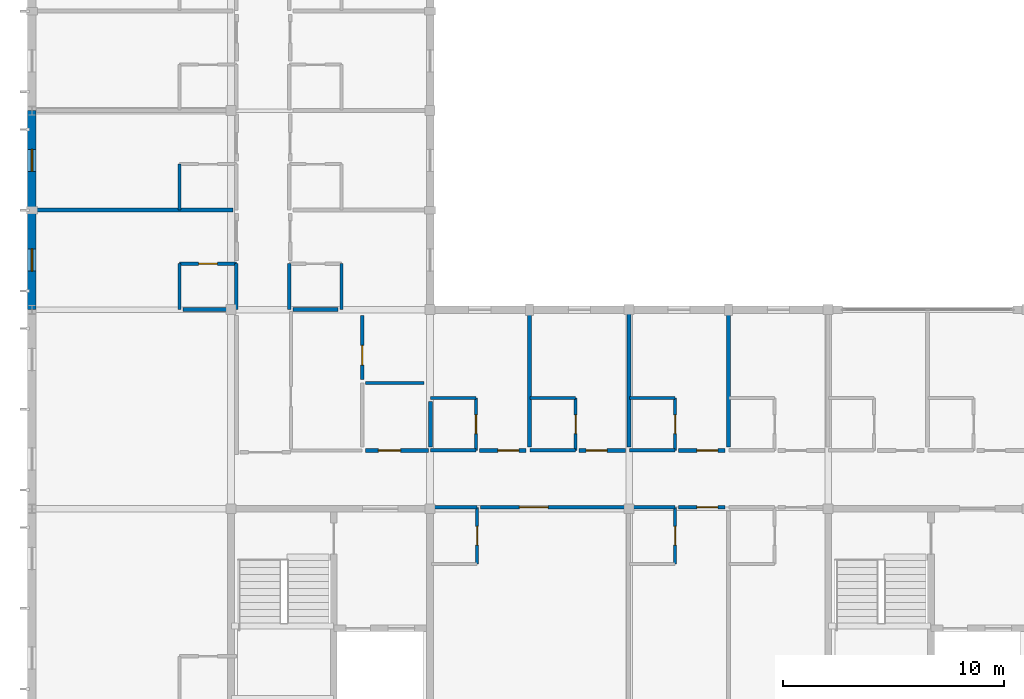
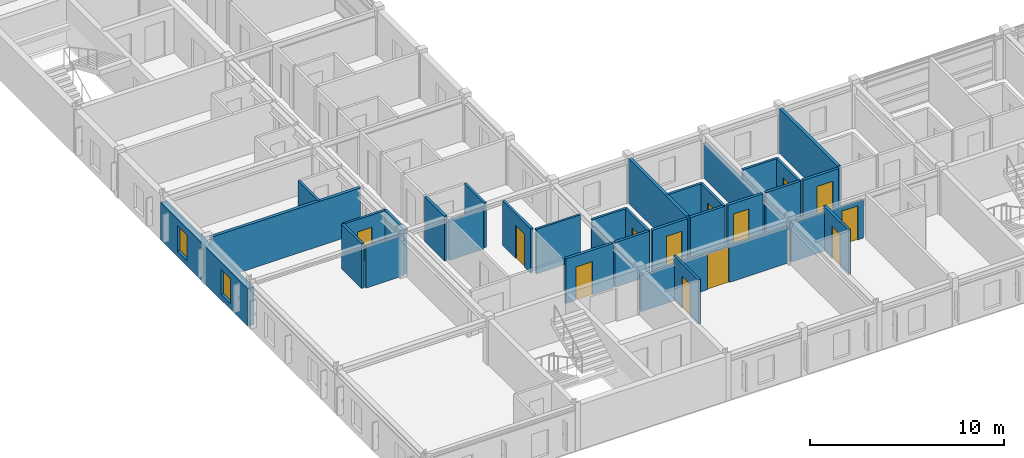
# One storey, part 9 of 20: 35 walls, 13 doors, 2 windows, 15 openings.
"""IFC4 building model written with IfcOpenShell, lengths in metres."""

from ifc_helpers import new_model, si_unit, direction, frame, frame_2d, origin, place, context, subcontext, project, spatial, rectangle, extrude, material, layer, layer_set, type_object, element, fill, save


model = new_model("IFC4")

# Units and contexts
model_context = context("Model", 3, precision=1e-05, world=origin(), true_north=direction((0.0, 1.0)))
body_context = subcontext(model_context, "Body", "Model", "MODEL_VIEW")
ifc_project = project(units=[si_unit("LENGTHUNIT", "METRE"), si_unit("AREAUNIT", "SQUARE_METRE"), si_unit("VOLUMEUNIT", "CUBIC_METRE"), si_unit("PLANEANGLEUNIT", "RADIAN"), si_unit("MASSUNIT", "GRAM", prefix="KILO")], contexts=[model_context])

# Site, building, storey
site_placement = place(None, origin())
site = spatial("IfcSite", under=ifc_project, at=site_placement, CompositionType="ELEMENT")
building_placement = place(site_placement, origin())
building = spatial("IfcBuilding", under=site, at=building_placement, Name="Palais des Congres Ocreval", CompositionType="ELEMENT")
storey_placement = place(building_placement, frame((0.0, 0.0, 20.639892578125)))
storey = spatial("IfcBuildingStorey", under=building, at=storey_placement, Name="L06", CompositionType="ELEMENT", Elevation=20.639892578125)

# Wall, opening, door
ifc_material_1 = material(Name="Moisture-resistant gypsum board")
ifc_layer_1 = layer(ifc_material_1, 0.139892578125)
ifc_layer_set_1 = layer_set([ifc_layer_1], Name="Bathroom Plumbing Chase Wall 140 Gypsum (Moisture-resistant gypsum board)")
wall_type_1 = type_object("IfcWallType", Name="Bathroom Plumbing Chase Wall 140 Gypsum", PredefinedType="PLUMBINGWALL", material=ifc_layer_set_1)
wall_1_placement = place(storey_placement, frame((20.1298828125, 6.5, 0.0), z_axis=(0.0, 0.0, 1.0), x_axis=(0.0, 1.0, 0.0)))
wall_1 = element("IfcWall", 1, at=wall_1_placement, inside=storey, type_object=wall_type_1, Name="Bathroom Plumbing Wall PW03 L06", PredefinedType="PLUMBINGWALL", context=body_context, shape_type="SweptSolid", body=[
    extrude(rectangle(XDim=2.56005859375, YDim=0.139892578125, at=frame_2d((1.280029296875, 0.0))), origin(), (0.0, 0.0, 1.0), 2.820068359375),
])
opening_1_placement = place(wall_1_placement, frame((0.85498046875, 0.0, 0.0)))
opening_1 = element("IfcOpeningElement", 2, at=opening_1_placement, cuts=wall_1, Name="Opening D08", PredefinedType="OPENING", context=body_context, shape_type="SweptSolid", body=[
    extrude(rectangle(XDim=0.85009765625, YDim=2.0400390625, at=frame_2d((0.425048828125, 1.02001953125))), frame((0.0, 0.079833984375, 0.0), z_axis=(0.0, -1.0, 0.0), x_axis=(1.0, 0.0, 0.0)), (0.0, 0.0, 1.0), 0.159912109375),
])
ifc_material_2 = material(Name="Solid French oak", Category="wood")
door_type_1 = type_object("IfcDoorType", Name="En-Suite Bathroom Door 850x2040", OperationType="NOTDEFINED", PredefinedType="DOOR", material=ifc_material_2)
door_1_placement = place(opening_1_placement, origin())
door_1 = element("IfcDoor", 3, at=door_1_placement, inside=storey, type_object=door_type_1, Name="En-Suite Bathroom Door D08 L06", OperationType="SINGLE_SWING_LEFT", OverallHeight=2.0400390625, OverallWidth=0.85009765625, PredefinedType="DOOR", context=body_context, shape_type="SweptSolid", body=[
    extrude(rectangle(XDim=0.85009765625, YDim=2.0400390625, at=frame_2d((0.425048828125, 1.02001953125))), frame((0.0, 0.02490234375, 0.0), z_axis=(0.0, -1.0, 0.0), x_axis=(1.0, 0.0, 0.0)), (0.0, 0.0, 1.0), 0.050048828125),
])
fill(opening_1, door_1)

wall_2_placement = place(storey_placement, frame((29.080078125, 6.5, 0.0), z_axis=(0.0, 0.0, 1.0), x_axis=(0.0, 1.0, 0.0)))
wall_2 = element("IfcWall", 4, at=wall_2_placement, inside=storey, type_object=wall_type_1, Name="Bathroom Plumbing Wall PW03 L06", PredefinedType="PLUMBINGWALL", context=body_context, shape_type="SweptSolid", body=[
    extrude(rectangle(XDim=2.56005859375, YDim=0.139892578125, at=frame_2d((1.280029296875, 0.0))), origin(), (0.0, 0.0, 1.0), 2.820068359375),
])
opening_2_placement = place(wall_2_placement, frame((0.85498046875, 0.0, 0.0)))
opening_2 = element("IfcOpeningElement", 5, at=opening_2_placement, cuts=wall_2, Name="Opening D08", PredefinedType="OPENING", context=body_context, shape_type="SweptSolid", body=[
    extrude(rectangle(XDim=0.85009765625, YDim=2.0400390625, at=frame_2d((0.425048828125, 1.02001953125))), frame((0.0, 0.079833984375, 0.0), z_axis=(0.0, -1.0, 0.0), x_axis=(1.0, 0.0, 0.0)), (0.0, 0.0, 1.0), 0.159912109375),
])
door_2_placement = place(opening_2_placement, origin())
door_2 = element("IfcDoor", 6, at=door_2_placement, inside=storey, type_object=door_type_1, Name="En-Suite Bathroom Door D08 L06", OperationType="SINGLE_SWING_RIGHT", OverallHeight=2.0400390625, OverallWidth=0.85009765625, PredefinedType="DOOR", context=body_context, shape_type="SweptSolid", body=[
    extrude(rectangle(XDim=0.85009765625, YDim=2.0400390625, at=frame_2d((0.425048828125, 1.02001953125))), frame((0.0, 0.02490234375, 0.0), z_axis=(0.0, -1.0, 0.0), x_axis=(1.0, 0.0, 0.0)), (0.0, 0.0, 1.0), 0.050048828125),
])
fill(opening_2, door_2)

wall_3_placement = place(storey_placement, frame((20.080078125, 11.639892578125, 0.0), z_axis=(0.0, 0.0, 1.0), x_axis=(0.0, 1.0, 0.0)))
wall_3 = element("IfcWall", 7, at=wall_3_placement, inside=storey, type_object=wall_type_1, Name="Bathroom Plumbing Wall PW03 L06", PredefinedType="PLUMBINGWALL", context=body_context, shape_type="SweptSolid", body=[
    extrude(rectangle(XDim=2.360107421875, YDim=0.139892578125, at=frame_2d((1.18017578125, 0.0))), origin(), (0.0, 0.0, 1.0), 2.820068359375),
])
opening_3_placement = place(wall_3_placement, frame((0.7548828125, 0.0, 0.0)))
opening_3 = element("IfcOpeningElement", 8, at=opening_3_placement, cuts=wall_3, Name="Opening D08", PredefinedType="OPENING", context=body_context, shape_type="SweptSolid", body=[
    extrude(rectangle(XDim=0.85009765625, YDim=2.0400390625, at=frame_2d((0.425048828125, 1.02001953125))), frame((0.0, 0.079833984375, 0.0), z_axis=(0.0, -1.0, 0.0), x_axis=(1.0, 0.0, 0.0)), (0.0, 0.0, 1.0), 0.159912109375),
])
door_3_placement = place(opening_3_placement, origin())
door_3 = element("IfcDoor", 9, at=door_3_placement, inside=storey, type_object=door_type_1, Name="En-Suite Bathroom Door D08 L06", OperationType="SINGLE_SWING_RIGHT", OverallHeight=2.0400390625, OverallWidth=0.85009765625, PredefinedType="DOOR", context=body_context, shape_type="SweptSolid", body=[
    extrude(rectangle(XDim=0.85009765625, YDim=2.0400390625, at=frame_2d((0.425048828125, 1.02001953125))), frame((0.0, 0.02490234375, 0.0), z_axis=(0.0, -1.0, 0.0), x_axis=(1.0, 0.0, 0.0)), (0.0, 0.0, 1.0), 0.050048828125),
])
fill(opening_3, door_3)

# Wall
wall_4_placement = place(storey_placement, frame((18.02001953125, 14.0, 0.0), z_axis=(0.0, 0.0, 1.0), x_axis=(1.0, 0.0, 0.0)))
element("IfcWall", 10, at=wall_4_placement, inside=storey, type_object=wall_type_1, Name="Bathroom Plumbing Wall PW03 L06", PredefinedType="PLUMBINGWALL", context=body_context, shape_type="SweptSolid", body=[
    extrude(rectangle(XDim=2.06005859375, YDim=0.139892578125, at=frame_2d((1.030029296875, 0.0))), origin(), (0.0, 0.0, 1.0), 2.820068359375),
])

# Wall, opening, door
wall_5_placement = place(storey_placement, frame((24.580078125, 11.639892578125, 0.0), z_axis=(0.0, 0.0, 1.0), x_axis=(0.0, 1.0, 0.0)))
wall_5 = element("IfcWall", 11, at=wall_5_placement, inside=storey, type_object=wall_type_1, Name="Bathroom Plumbing Wall PW03 L06", PredefinedType="PLUMBINGWALL", context=body_context, shape_type="SweptSolid", body=[
    extrude(rectangle(XDim=2.360107421875, YDim=0.139892578125, at=frame_2d((1.18017578125, 0.0))), origin(), (0.0, 0.0, 1.0), 2.820068359375),
])
opening_4_placement = place(wall_5_placement, frame((0.7548828125, 0.0, 0.0)))
opening_4 = element("IfcOpeningElement", 12, at=opening_4_placement, cuts=wall_5, Name="Opening D08", PredefinedType="OPENING", context=body_context, shape_type="SweptSolid", body=[
    extrude(rectangle(XDim=0.85009765625, YDim=2.0400390625, at=frame_2d((0.425048828125, 1.02001953125))), frame((0.0, 0.079833984375, 0.0), z_axis=(0.0, -1.0, 0.0), x_axis=(1.0, 0.0, 0.0)), (0.0, 0.0, 1.0), 0.159912109375),
])
door_4_placement = place(opening_4_placement, origin())
door_4 = element("IfcDoor", 13, at=door_4_placement, inside=storey, type_object=door_type_1, Name="En-Suite Bathroom Door D08 L06", OperationType="SINGLE_SWING_LEFT", OverallHeight=2.0400390625, OverallWidth=0.85009765625, PredefinedType="DOOR", context=body_context, shape_type="SweptSolid", body=[
    extrude(rectangle(XDim=0.85009765625, YDim=2.0400390625, at=frame_2d((0.425048828125, 1.02001953125))), frame((0.0, 0.02490234375, 0.0), z_axis=(0.0, -1.0, 0.0), x_axis=(1.0, 0.0, 0.0)), (0.0, 0.0, 1.0), 0.050048828125),
])
fill(opening_4, door_4)

# Wall
wall_6_placement = place(storey_placement, frame((22.52001953125, 14.0, 0.0), z_axis=(0.0, 0.0, 1.0), x_axis=(1.0, 0.0, 0.0)))
element("IfcWall", 14, at=wall_6_placement, inside=storey, type_object=wall_type_1, Name="Bathroom Plumbing Wall PW03 L06", PredefinedType="PLUMBINGWALL", context=body_context, shape_type="SweptSolid", body=[
    extrude(rectangle(XDim=2.06005859375, YDim=0.139892578125, at=frame_2d((1.030029296875, 0.0))), origin(), (0.0, 0.0, 1.0), 2.820068359375),
])

# Wall, opening, door
wall_7_placement = place(storey_placement, frame((29.080078125, 11.639892578125, 0.0), z_axis=(0.0, 0.0, 1.0), x_axis=(0.0, 1.0, 0.0)))
wall_7 = element("IfcWall", 15, at=wall_7_placement, inside=storey, type_object=wall_type_1, Name="Bathroom Plumbing Wall PW03 L06", PredefinedType="PLUMBINGWALL", context=body_context, shape_type="SweptSolid", body=[
    extrude(rectangle(XDim=2.360107421875, YDim=0.139892578125, at=frame_2d((1.18017578125, 0.0))), origin(), (0.0, 0.0, 1.0), 2.820068359375),
])
opening_5_placement = place(wall_7_placement, frame((0.7548828125, 0.0, 0.0)))
opening_5 = element("IfcOpeningElement", 16, at=opening_5_placement, cuts=wall_7, Name="Opening D08", PredefinedType="OPENING", context=body_context, shape_type="SweptSolid", body=[
    extrude(rectangle(XDim=0.85009765625, YDim=2.0400390625, at=frame_2d((0.425048828125, 1.02001953125))), frame((0.0, 0.079833984375, 0.0), z_axis=(0.0, -1.0, 0.0), x_axis=(1.0, 0.0, 0.0)), (0.0, 0.0, 1.0), 0.159912109375),
])
door_5_placement = place(opening_5_placement, origin())
door_5 = element("IfcDoor", 17, at=door_5_placement, inside=storey, type_object=door_type_1, Name="En-Suite Bathroom Door D08 L06", OperationType="SINGLE_SWING_RIGHT", OverallHeight=2.0400390625, OverallWidth=0.85009765625, PredefinedType="DOOR", context=body_context, shape_type="SweptSolid", body=[
    extrude(rectangle(XDim=0.85009765625, YDim=2.0400390625, at=frame_2d((0.425048828125, 1.02001953125))), frame((0.0, 0.02490234375, 0.0), z_axis=(0.0, -1.0, 0.0), x_axis=(1.0, 0.0, 0.0)), (0.0, 0.0, 1.0), 0.050048828125),
])
fill(opening_5, door_5)

# Wall
wall_8_placement = place(storey_placement, frame((27.02001953125, 14.0, 0.0), z_axis=(0.0, 0.0, 1.0), x_axis=(1.0, 0.0, 0.0)))
element("IfcWall", 18, at=wall_8_placement, inside=storey, type_object=wall_type_1, Name="Bathroom Plumbing Wall PW03 L06", PredefinedType="PLUMBINGWALL", context=body_context, shape_type="SweptSolid", body=[
    extrude(rectangle(XDim=2.06005859375, YDim=0.139892578125, at=frame_2d((1.030029296875, 0.0))), origin(), (0.0, 0.0, 1.0), 2.820068359375),
])

# Wall, opening, door
wall_9_placement = place(storey_placement, frame((6.679931640625, 20.080078125, 0.0), z_axis=(0.0, 0.0, 1.0), x_axis=(1.0, 0.0, 0.0)))
wall_9 = element("IfcWall", 19, at=wall_9_placement, inside=storey, type_object=wall_type_1, Name="Bathroom Plumbing Wall PW03 L06", PredefinedType="PLUMBINGWALL", context=body_context, shape_type="SweptSolid", body=[
    extrude(rectangle(XDim=2.56005859375, YDim=0.139892578125, at=frame_2d((1.280029296875, 0.0))), origin(), (0.0, 0.0, 1.0), 2.820068359375),
])
opening_6_placement = place(wall_9_placement, frame((0.85498046875, 0.0, 0.0)))
opening_6 = element("IfcOpeningElement", 20, at=opening_6_placement, cuts=wall_9, Name="Opening D08", PredefinedType="OPENING", context=body_context, shape_type="SweptSolid", body=[
    extrude(rectangle(XDim=0.85009765625, YDim=2.0400390625, at=frame_2d((0.425048828125, 1.02001953125))), frame((0.0, 0.079833984375, 0.0), z_axis=(0.0, -1.0, 0.0), x_axis=(1.0, 0.0, 0.0)), (0.0, 0.0, 1.0), 0.159912109375),
])
door_6_placement = place(opening_6_placement, origin())
door_6 = element("IfcDoor", 21, at=door_6_placement, inside=storey, type_object=door_type_1, Name="En-Suite Bathroom Door D08 L06", OperationType="SINGLE_SWING_RIGHT", OverallHeight=2.0400390625, OverallWidth=0.85009765625, PredefinedType="DOOR", context=body_context, shape_type="SweptSolid", body=[
    extrude(rectangle(XDim=0.85009765625, YDim=2.0400390625, at=frame_2d((0.425048828125, 1.02001953125))), frame((0.0, 0.02490234375, 0.0), z_axis=(0.0, -1.0, 0.0), x_axis=(1.0, 0.0, 0.0)), (0.0, 0.0, 1.0), 0.050048828125),
])
fill(opening_6, door_6)

# Walls
for number, where, z_axis, x_axis, name in (
    (22, (6.679931640625, 18.02001953125, 0.0), (0.0, 0.0, 1.0), (0.0, 1.0, 0.0), "Bathroom Plumbing Wall PW03 L06"),
    (23, (6.679931640625, 22.52001953125, 0.0), (0.0, 0.0, 1.0), (0.0, 1.0, 0.0), "Bathroom Plumbing Wall PW03 L06"),
    (24, (14.0, 18.02001953125, 0.0), (0.0, 0.0, 1.0), (0.0, 1.0, 0.0), "Bathroom Plumbing Wall PW03 L06"),
):
    element("IfcWall", number, at=place(storey_placement, frame(where, z_axis=z_axis, x_axis=x_axis)), inside=storey, type_object=wall_type_1, Name=name, PredefinedType="PLUMBINGWALL", context=body_context, shape_type="SweptSolid", body=[
        extrude(rectangle(XDim=2.06005859375, YDim=0.139892578125, at=frame_2d((1.030029296875, 0.0))), origin(), (0.0, 0.0, 1.0), 2.820068359375),
    ])

# Wall, opening, door
wall_10_placement = place(storey_placement, frame((14.93505859375, 14.844970703125, 0.0), z_axis=(0.0, 0.0, 1.0), x_axis=(0.0, 1.0, 0.0)))
wall_10 = element("IfcWall", 25, at=wall_10_placement, inside=storey, type_object=wall_type_1, Name="Interior Partition PW03 L06", PredefinedType="PLUMBINGWALL", context=body_context, shape_type="SweptSolid", body=[
    extrude(rectangle(XDim=2.885009765625, YDim=0.139892578125, at=frame_2d((1.4423828125, 0.0))), origin(), (0.0, 0.0, 1.0), 2.820068359375),
])
opening_7_placement = place(wall_10_placement, frame((0.646240234375, 0.0, 0.0)))
opening_7 = element("IfcOpeningElement", 26, at=opening_7_placement, cuts=wall_10, Name="Opening D09", PredefinedType="OPENING", context=body_context, shape_type="SweptSolid", body=[
    extrude(rectangle(XDim=0.89990234375, YDim=2.10009765625, at=frame_2d((0.449951171875, 1.050048828125))), frame((0.0, 0.079833984375, 0.0), z_axis=(0.0, -1.0, 0.0), x_axis=(1.0, 0.0, 0.0)), (0.0, 0.0, 1.0), 0.159912109375),
])
door_type_2 = type_object("IfcDoorType", Name="Accessible Restroom Door 900x2100", OperationType="NOTDEFINED", PredefinedType="DOOR", material=ifc_material_2)
door_7_placement = place(opening_7_placement, origin())
door_7 = element("IfcDoor", 27, at=door_7_placement, inside=storey, type_object=door_type_2, Name="Interior Door D09 L06", OperationType="SINGLE_SWING_RIGHT", OverallHeight=2.10009765625, OverallWidth=0.89990234375, PredefinedType="DOOR", context=body_context, shape_type="SweptSolid", body=[
    extrude(rectangle(XDim=0.89990234375, YDim=2.10009765625, at=frame_2d((0.449951171875, 1.050048828125))), frame((0.0, 0.02490234375, 0.0), z_axis=(0.0, -1.0, 0.0), x_axis=(1.0, 0.0, 0.0)), (0.0, 0.0, 1.0), 0.050048828125),
])
fill(opening_7, door_7)

# Walls
ifc_material_3 = material(Name="Gypsum acoustic partition")
ifc_layer_2 = layer(ifc_material_3, 0.159912109375)
ifc_layer_set_2 = layer_set([ifc_layer_2], Name="Corridor Fire Partition 160 Gypsum (Gypsum acoustic partition)")
wall_type_2 = type_object("IfcWallType", Name="Corridor Fire Partition 160 Gypsum", PredefinedType="PARTITIONING", material=ifc_layer_set_2)
wall_11_placement = place(storey_placement, frame((18.070068359375, 9.06005859375, 0.0), z_axis=(0.0, 0.0, 1.0), x_axis=(1.0, 0.0, 0.0)))
element("IfcWall", 28, at=wall_11_placement, inside=storey, type_object=wall_type_2, Name="Corridor Partition IW03 L06", PredefinedType="PARTITIONING", context=body_context, shape_type="SweptSolid", body=[
    extrude(rectangle(XDim=2.059814453125, YDim=0.159912109375, at=frame_2d((1.02978515625, 0.0))), origin(), (0.0, 0.0, 1.0), 2.2900390625),
])
wall_12_placement = place(storey_placement, frame((27.02001953125, 9.06005859375, 0.0), z_axis=(0.0, 0.0, 1.0), x_axis=(1.0, 0.0, 0.0)))
element("IfcWall", 29, at=wall_12_placement, inside=storey, type_object=wall_type_2, Name="Corridor Partition IW03 L06", PredefinedType="PARTITIONING", context=body_context, shape_type="SweptSolid", body=[
    extrude(rectangle(XDim=2.06005859375, YDim=0.159912109375, at=frame_2d((1.030029296875, 0.0))), origin(), (0.0, 0.0, 1.0), 2.420166015625),
])
for number, where, z_axis, x_axis, name in (
    (30, (18.02001953125, 11.639892578125, 0.0), (0.0, 0.0, 1.0), (1.0, 0.0, 0.0), "Corridor Partition IW03 L06"),
    (31, (22.52001953125, 11.639892578125, 0.0), (0.0, 0.0, 1.0), (1.0, 0.0, 0.0), "Corridor Partition IW03 L06"),
    (32, (27.02001953125, 11.639892578125, 0.0), (0.0, 0.0, 1.0), (1.0, 0.0, 0.0), "Corridor Partition IW03 L06"),
    (33, (9.239990234375, 18.02001953125, 0.0), (0.0, 0.0, 1.0), (0.0, 1.0, 0.0), "Corridor Partition IW03 L06"),
    (34, (11.639892578125, 18.02001953125, 0.0), (0.0, 0.0, 1.0), (0.0, 1.0, 0.0), "Corridor Partition IW03 L06"),
):
    element("IfcWall", number, at=place(storey_placement, frame(where, z_axis=z_axis, x_axis=x_axis)), inside=storey, type_object=wall_type_2, Name=name, PredefinedType="PARTITIONING", context=body_context, shape_type="SweptSolid", body=[
        extrude(rectangle(XDim=2.06005859375, YDim=0.159912109375, at=frame_2d((1.030029296875, 0.0))), origin(), (0.0, 0.0, 1.0), 2.820068359375),
    ])

# Wall, opening, door
wall_13_placement = place(storey_placement, frame((20.284912109375, 9.06494140625, 0.0), z_axis=(0.0, 0.0, 1.0), x_axis=(1.0, 0.0, 0.0)))
wall_13 = element("IfcWall", 35, at=wall_13_placement, inside=storey, type_object=wall_type_2, Name="Interior Partition IW03 L06", PredefinedType="PARTITIONING", context=body_context, shape_type="SweptSolid", body=[
    extrude(rectangle(XDim=6.53515625, YDim=0.159912109375, at=frame_2d((3.267578125, 0.0))), origin(), (0.0, 0.0, 1.0), 2.2900390625),
])
opening_8_placement = place(wall_13_placement, frame((1.75, 0.0, 0.0)))
opening_8 = element("IfcOpeningElement", 36, at=opening_8_placement, cuts=wall_13, Name="Opening D07", PredefinedType="OPENING", context=body_context, shape_type="SweptSolid", body=[
    extrude(rectangle(XDim=1.300048828125, YDim=2.25, at=frame_2d((0.64990234375, 1.125))), frame((0.0, 0.08984375, 0.0), z_axis=(0.0, -1.0, 0.0), x_axis=(1.0, 0.0, 0.0)), (0.0, 0.0, 1.0), 0.179931640625),
])
door_type_3 = type_object("IfcDoorType", Name="Luxury Suite Double Door 1300x2250", OperationType="NOTDEFINED", PredefinedType="DOOR", material=ifc_material_2)
door_8_placement = place(opening_8_placement, origin())
door_8 = element("IfcDoor", 37, at=door_8_placement, inside=storey, type_object=door_type_3, Name="Interior Door D07 L06", OperationType="DOUBLE_DOOR_SINGLE_SWING", OverallHeight=2.25, OverallWidth=1.300048828125, PredefinedType="DOOR", context=body_context, shape_type="SweptSolid", body=[
    extrude(rectangle(XDim=1.300048828125, YDim=2.25, at=frame_2d((0.64990234375, 1.125))), frame((0.0, 0.02490234375, 0.0), z_axis=(0.0, -1.0, 0.0), x_axis=(1.0, 0.0, 0.0)), (0.0, 0.0, 1.0), 0.050048828125),
])
fill(opening_8, door_8)

wall_14_placement = place(storey_placement, frame((29.235107421875, 9.06494140625, 0.0), z_axis=(0.0, 0.0, 1.0), x_axis=(1.0, 0.0, 0.0)))
wall_14 = element("IfcWall", 38, at=wall_14_placement, inside=storey, type_object=wall_type_2, Name="Interior Partition IW03 L06", PredefinedType="PARTITIONING", context=body_context, shape_type="SweptSolid", body=[
    extrude(rectangle(XDim=2.10986328125, YDim=0.159912109375, at=frame_2d((1.054931640625, 0.0))), origin(), (0.0, 0.0, 1.0), 2.420166015625),
])
opening_9_placement = place(wall_14_placement, frame((0.833251953125, 0.0, 0.0)))
opening_9 = element("IfcOpeningElement", 39, at=opening_9_placement, cuts=wall_14, Name="Opening D05", PredefinedType="OPENING", context=body_context, shape_type="SweptSolid", body=[
    extrude(rectangle(XDim=0.949951171875, YDim=2.14990234375, at=frame_2d((0.47509765625, 1.074951171875))), frame((0.0, 0.08984375, 0.0), z_axis=(0.0, -1.0, 0.0), x_axis=(1.0, 0.0, 0.0)), (0.0, 0.0, 1.0), 0.179931640625),
])
door_type_4 = type_object("IfcDoorType", Name="Hotel Guestroom Entrance Door 950x2150", OperationType="NOTDEFINED", PredefinedType="DOOR", material=ifc_material_2)
door_9_placement = place(opening_9_placement, origin())
door_9 = element("IfcDoor", 40, at=door_9_placement, inside=storey, type_object=door_type_4, Name="Interior Door D05 L06", OperationType="SINGLE_SWING_LEFT", OverallHeight=2.14990234375, OverallWidth=0.949951171875, PredefinedType="DOOR", context=body_context, shape_type="SweptSolid", body=[
    extrude(rectangle(XDim=0.949951171875, YDim=2.14990234375, at=frame_2d((0.47509765625, 1.074951171875))), frame((0.0, 0.02490234375, 0.0), z_axis=(0.0, -1.0, 0.0), x_axis=(1.0, 0.0, 0.0)), (0.0, 0.0, 1.0), 0.050048828125),
])
fill(opening_9, door_9)

wall_15_placement = place(storey_placement, frame((15.090087890625, 11.635009765625, 0.0), z_axis=(0.0, 0.0, 1.0), x_axis=(1.0, 0.0, 0.0)))
wall_15 = element("IfcWall", 41, at=wall_15_placement, inside=storey, type_object=wall_type_2, Name="Interior Partition IW03 L06", PredefinedType="PARTITIONING", context=body_context, shape_type="SweptSolid", body=[
    extrude(rectangle(XDim=2.8349609375, YDim=0.159912109375, at=frame_2d((1.41748046875, 0.0))), origin(), (0.0, 0.0, 1.0), 2.820068359375),
])
opening_10_placement = place(wall_15_placement, frame((0.577392578125, 0.0, 0.0)))
opening_10 = element("IfcOpeningElement", 42, at=opening_10_placement, cuts=wall_15, Name="Opening D10", PredefinedType="OPENING", context=body_context, shape_type="SweptSolid", body=[
    extrude(rectangle(XDim=1.0, YDim=2.10009765625, at=frame_2d((0.5, 1.050048828125))), frame((0.0, 0.08984375, 0.0), z_axis=(0.0, -1.0, 0.0), x_axis=(1.0, 0.0, 0.0)), (0.0, 0.0, 1.0), 0.179931640625),
])
ifc_material_4 = material(Name="Painted steel", Category="steel")
door_type_5 = type_object("IfcDoorType", Name="Service and Pantry Door 1000x2100", OperationType="NOTDEFINED", PredefinedType="DOOR", material=ifc_material_4)
door_10_placement = place(opening_10_placement, origin())
door_10 = element("IfcDoor", 43, at=door_10_placement, inside=storey, type_object=door_type_5, Name="Interior Door D10 L06", OperationType="SINGLE_SWING_RIGHT", OverallHeight=2.10009765625, OverallWidth=1.0, PredefinedType="DOOR", context=body_context, shape_type="SweptSolid", body=[
    extrude(rectangle(XDim=1.0, YDim=2.10009765625, at=frame_2d((0.5, 1.050048828125))), frame((0.0, 0.02490234375, 0.0), z_axis=(0.0, -1.0, 0.0), x_axis=(1.0, 0.0, 0.0)), (0.0, 0.0, 1.0), 0.050048828125),
])
fill(opening_10, door_10)

wall_16_placement = place(storey_placement, frame((20.235107421875, 11.635009765625, 0.0), z_axis=(0.0, 0.0, 1.0), x_axis=(1.0, 0.0, 0.0)))
wall_16 = element("IfcWall", 44, at=wall_16_placement, inside=storey, type_object=wall_type_2, Name="Interior Partition IW03 L06", PredefinedType="PARTITIONING", context=body_context, shape_type="SweptSolid", body=[
    extrude(rectangle(XDim=2.10986328125, YDim=0.159912109375, at=frame_2d((1.054931640625, 0.0))), origin(), (0.0, 0.0, 1.0), 2.820068359375),
])
opening_11_placement = place(wall_16_placement, frame((0.833251953125, 0.0, 0.0)))
opening_11 = element("IfcOpeningElement", 45, at=opening_11_placement, cuts=wall_16, Name="Opening D05", PredefinedType="OPENING", context=body_context, shape_type="SweptSolid", body=[
    extrude(rectangle(XDim=0.949951171875, YDim=2.14990234375, at=frame_2d((0.47509765625, 1.074951171875))), frame((0.0, 0.08984375, 0.0), z_axis=(0.0, -1.0, 0.0), x_axis=(1.0, 0.0, 0.0)), (0.0, 0.0, 1.0), 0.179931640625),
])
door_11_placement = place(opening_11_placement, origin())
door_11 = element("IfcDoor", 46, at=door_11_placement, inside=storey, type_object=door_type_4, Name="Interior Door D05 L06", OperationType="SINGLE_SWING_RIGHT", OverallHeight=2.14990234375, OverallWidth=0.949951171875, PredefinedType="DOOR", context=body_context, shape_type="SweptSolid", body=[
    extrude(rectangle(XDim=0.949951171875, YDim=2.14990234375, at=frame_2d((0.47509765625, 1.074951171875))), frame((0.0, 0.02490234375, 0.0), z_axis=(0.0, -1.0, 0.0), x_axis=(1.0, 0.0, 0.0)), (0.0, 0.0, 1.0), 0.050048828125),
])
fill(opening_11, door_11)

wall_17_placement = place(storey_placement, frame((24.735107421875, 11.635009765625, 0.0), z_axis=(0.0, 0.0, 1.0), x_axis=(1.0, 0.0, 0.0)))
wall_17 = element("IfcWall", 47, at=wall_17_placement, inside=storey, type_object=wall_type_2, Name="Interior Partition IW03 L06", PredefinedType="PARTITIONING", context=body_context, shape_type="SweptSolid", body=[
    extrude(rectangle(XDim=2.10986328125, YDim=0.159912109375, at=frame_2d((1.054931640625, 0.0))), origin(), (0.0, 0.0, 1.0), 2.820068359375),
])
opening_12_placement = place(wall_17_placement, frame((0.326904296875, 0.0, 0.0)))
opening_12 = element("IfcOpeningElement", 48, at=opening_12_placement, cuts=wall_17, Name="Opening D05", PredefinedType="OPENING", context=body_context, shape_type="SweptSolid", body=[
    extrude(rectangle(XDim=0.949951171875, YDim=2.14990234375, at=frame_2d((0.47509765625, 1.074951171875))), frame((0.0, 0.08984375, 0.0), z_axis=(0.0, -1.0, 0.0), x_axis=(1.0, 0.0, 0.0)), (0.0, 0.0, 1.0), 0.179931640625),
])
door_12_placement = place(opening_12_placement, origin())
door_12 = element("IfcDoor", 49, at=door_12_placement, inside=storey, type_object=door_type_4, Name="Interior Door D05 L06", OperationType="SINGLE_SWING_LEFT", OverallHeight=2.14990234375, OverallWidth=0.949951171875, PredefinedType="DOOR", context=body_context, shape_type="SweptSolid", body=[
    extrude(rectangle(XDim=0.949951171875, YDim=2.14990234375, at=frame_2d((0.47509765625, 1.074951171875))), frame((0.0, 0.02490234375, 0.0), z_axis=(0.0, -1.0, 0.0), x_axis=(1.0, 0.0, 0.0)), (0.0, 0.0, 1.0), 0.050048828125),
])
fill(opening_12, door_12)

wall_18_placement = place(storey_placement, frame((29.235107421875, 11.635009765625, 0.0), z_axis=(0.0, 0.0, 1.0), x_axis=(1.0, 0.0, 0.0)))
wall_18 = element("IfcWall", 50, at=wall_18_placement, inside=storey, type_object=wall_type_2, Name="Interior Partition IW03 L06", PredefinedType="PARTITIONING", context=body_context, shape_type="SweptSolid", body=[
    extrude(rectangle(XDim=2.10986328125, YDim=0.159912109375, at=frame_2d((1.054931640625, 0.0))), origin(), (0.0, 0.0, 1.0), 2.820068359375),
])
opening_13_placement = place(wall_18_placement, frame((0.833251953125, 0.0, 0.0)))
opening_13 = element("IfcOpeningElement", 51, at=opening_13_placement, cuts=wall_18, Name="Opening D05", PredefinedType="OPENING", context=body_context, shape_type="SweptSolid", body=[
    extrude(rectangle(XDim=0.949951171875, YDim=2.14990234375, at=frame_2d((0.47509765625, 1.074951171875))), frame((0.0, 0.08984375, 0.0), z_axis=(0.0, -1.0, 0.0), x_axis=(1.0, 0.0, 0.0)), (0.0, 0.0, 1.0), 0.179931640625),
])
door_13_placement = place(opening_13_placement, origin())
door_13 = element("IfcDoor", 52, at=door_13_placement, inside=storey, type_object=door_type_4, Name="Interior Door D05 L06", OperationType="SINGLE_SWING_RIGHT", OverallHeight=2.14990234375, OverallWidth=0.949951171875, PredefinedType="DOOR", context=body_context, shape_type="SweptSolid", body=[
    extrude(rectangle(XDim=0.949951171875, YDim=2.14990234375, at=frame_2d((0.47509765625, 1.074951171875))), frame((0.0, 0.02490234375, 0.0), z_axis=(0.0, -1.0, 0.0), x_axis=(1.0, 0.0, 0.0)), (0.0, 0.0, 1.0), 0.050048828125),
])
fill(opening_13, door_13)

# Walls
ifc_layer_3 = layer(ifc_material_3, 0.179931640625)
ifc_layer_set_3 = layer_set([ifc_layer_3], Name="Hotel Inter-Room Acoustic Partition 180 Gypsum (Gypsum acoustic partition)")
wall_type_3 = type_object("IfcWallType", Name="Hotel Inter-Room Acoustic Partition 180 Gypsum", PredefinedType="PARTITIONING", material=ifc_layer_set_3)
wall_19_placement = place(storey_placement, frame((22.5, 11.794921875, 0.0), z_axis=(0.0, 0.0, 1.0), x_axis=(0.0, 1.0, 0.0)))
element("IfcWall", 53, at=wall_19_placement, inside=storey, type_object=wall_type_3, Name="Hotel Party Partition IW02 L06", PredefinedType="PARTITIONING", context=body_context, shape_type="SweptSolid", body=[
    extrude(rectangle(XDim=6.030029296875, YDim=0.179931640625, at=frame_2d((3.01513671875, 0.0))), origin(), (0.0, 0.0, 1.0), 2.820068359375),
])
wall_20_placement = place(storey_placement, frame((27.0, 11.794921875, 0.0), z_axis=(0.0, 0.0, 1.0), x_axis=(0.0, 1.0, 0.0)))
element("IfcWall", 54, at=wall_20_placement, inside=storey, type_object=wall_type_3, Name="Hotel Party Partition IW02 L06", PredefinedType="PARTITIONING", context=body_context, shape_type="SweptSolid", body=[
    extrude(rectangle(XDim=6.030029296875, YDim=0.179931640625, at=frame_2d((3.01513671875, 0.0))), origin(), (0.0, 0.0, 1.0), 2.190185546875),
])
wall_21_placement = place(storey_placement, frame((31.5, 11.794921875, 0.0), z_axis=(0.0, 0.0, 1.0), x_axis=(0.0, 1.0, 0.0)))
element("IfcWall", 55, at=wall_21_placement, inside=storey, type_object=wall_type_3, Name="Hotel Party Partition IW02 L06", PredefinedType="PARTITIONING", context=body_context, shape_type="SweptSolid", body=[
    extrude(rectangle(XDim=6.030029296875, YDim=0.179931640625, at=frame_2d((3.01513671875, 0.0))), origin(), (0.0, 0.0, 1.0), 2.820068359375),
])
wall_22_placement = place(storey_placement, frame((0.195068359375, 22.5, 0.0), z_axis=(0.0, 0.0, 1.0), x_axis=(1.0, 0.0, 0.0)))
element("IfcWall", 56, at=wall_22_placement, inside=storey, type_object=wall_type_3, Name="Hotel Party Partition IW02 L06", PredefinedType="PARTITIONING", context=body_context, shape_type="SweptSolid", body=[
    extrude(rectangle(XDim=8.889892578125, YDim=0.179931640625, at=frame_2d((4.44482421875, 0.0))), origin(), (0.0, 0.0, 1.0), 2.820068359375),
])
wall_23_placement = place(storey_placement, frame((18.02001953125, 11.794921875, 0.0), z_axis=(0.0, 0.0, 1.0), x_axis=(0.0, 1.0, 0.0)))
element("IfcWall", 57, at=wall_23_placement, inside=storey, type_object=wall_type_3, Name="Bathroom Party Closure Wall IW02 L06", PredefinedType="PARTITIONING", context=body_context, shape_type="SweptSolid", body=[
    extrude(rectangle(XDim=2.050048828125, YDim=0.179931640625, at=frame_2d((1.02490234375, 0.0))), origin(), (0.0, 0.0, 1.0), 2.420166015625),
])
wall_24_placement = place(storey_placement, frame((6.8349609375, 18.02001953125, 0.0), z_axis=(0.0, 0.0, 1.0), x_axis=(1.0, 0.0, 0.0)))
element("IfcWall", 58, at=wall_24_placement, inside=storey, type_object=wall_type_3, Name="Bathroom Party Closure Wall IW02 L06", PredefinedType="PARTITIONING", context=body_context, shape_type="SweptSolid", body=[
    extrude(rectangle(XDim=2.260009765625, YDim=0.179931640625, at=frame_2d((1.1298828125, 0.0))), origin(), (0.0, 0.0, 1.0), 2.550048828125),
])
wall_25_placement = place(storey_placement, frame((11.794921875, 18.02001953125, 0.0), z_axis=(0.0, 0.0, 1.0), x_axis=(1.0, 0.0, 0.0)))
element("IfcWall", 59, at=wall_25_placement, inside=storey, type_object=wall_type_3, Name="Bathroom Party Closure Wall IW02 L06", PredefinedType="PARTITIONING", context=body_context, shape_type="SweptSolid", body=[
    extrude(rectangle(XDim=2.050048828125, YDim=0.179931640625, at=frame_2d((1.02490234375, 0.0))), origin(), (0.0, 0.0, 1.0), 2.480224609375),
])

# Wall, openings, windows
ifc_material_5 = material(Name="Concrete C40/50", Category="concrete")
ifc_layer_4 = layer(ifc_material_5, 0.3798828125)
ifc_layer_set_4 = layer_set([ifc_layer_4], Name="Lutetian Limestone Street Wall 380 Concrete C40/50")
wall_type_4 = type_object("IfcWallType", Name="Lutetian Limestone Street Wall 380 Concrete C40/50", PredefinedType="SOLIDWALL", material=ifc_layer_set_4)
wall_26_placement = place(storey_placement, frame((0.0, 18.0, 0.0), z_axis=(0.0, 0.0, 1.0), x_axis=(0.0, 1.0, 0.0)))
wall_26 = element("IfcWall", 60, at=wall_26_placement, inside=storey, type_object=wall_type_4, Name="Exterior Wall EW03 L06", PredefinedType="SOLIDWALL", context=body_context, shape_type="SweptSolid", body=[
    extrude(rectangle(XDim=9.0, YDim=0.3798828125, at=frame_2d((4.5, 0.0))), origin(), (0.0, 0.0, 1.0), 2.380126953125),
])
opening_14_placement = place(wall_26_placement, frame((1.75, 0.0, 0.35009765625)))
opening_14 = element("IfcOpeningElement", 61, at=opening_14_placement, cuts=wall_26, Name="Opening WN18", PredefinedType="OPENING", context=body_context, shape_type="SweptSolid", body=[
    extrude(rectangle(XDim=1.0, YDim=1.60009765625, at=frame_2d((0.5, 0.800048828125))), frame((0.0, 0.199951171875, 0.0), z_axis=(0.0, -1.0, 0.0), x_axis=(1.0, 0.0, 0.0)), (0.0, 0.0, 1.0), 0.39990234375),
])
opening_15_placement = place(wall_26_placement, frame((6.25, 0.0, 0.35009765625)))
opening_15 = element("IfcOpeningElement", 62, at=opening_15_placement, cuts=wall_26, Name="Opening WN18", PredefinedType="OPENING", context=body_context, shape_type="SweptSolid", body=[
    extrude(rectangle(XDim=1.0, YDim=1.60009765625, at=frame_2d((0.5, 0.800048828125))), frame((0.0, 0.199951171875, 0.0), z_axis=(0.0, -1.0, 0.0), x_axis=(1.0, 0.0, 0.0)), (0.0, 0.0, 1.0), 0.39990234375),
])
ifc_material_6 = material(Name="Anodized bronze aluminium and low-E glass", Category="glass")
window_type = type_object("IfcWindowType", Name="Stair and Lobby Daylight Window 1000x1600", PartitioningType="SINGLE_PANEL", PredefinedType="WINDOW", material=ifc_material_6)
window_1_placement = place(opening_14_placement, origin())
window_1 = element("IfcWindow", 63, at=window_1_placement, inside=storey, type_object=window_type, Name="Hotel Facade Window WN18", OverallHeight=1.60009765625, OverallWidth=1.0, PartitioningType="SINGLE_PANEL", PredefinedType="WINDOW", context=body_context, shape_type="SweptSolid", body=[
    extrude(rectangle(XDim=1.0, YDim=1.60009765625, at=frame_2d((0.5, 0.800048828125))), frame((0.0, 0.030029296875, 0.0), z_axis=(0.0, -1.0, 0.0), x_axis=(1.0, 0.0, 0.0)), (0.0, 0.0, 1.0), 0.06005859375),
])
fill(opening_14, window_1)
window_2_placement = place(opening_15_placement, origin())
window_2 = element("IfcWindow", 64, at=window_2_placement, inside=storey, type_object=window_type, Name="Hotel Facade Window WN18", OverallHeight=1.60009765625, OverallWidth=1.0, PartitioningType="SINGLE_PANEL", PredefinedType="WINDOW", context=body_context, shape_type="SweptSolid", body=[
    extrude(rectangle(XDim=1.0, YDim=1.60009765625, at=frame_2d((0.5, 0.800048828125))), frame((0.0, 0.030029296875, 0.0), z_axis=(0.0, -1.0, 0.0), x_axis=(1.0, 0.0, 0.0)), (0.0, 0.0, 1.0), 0.06005859375),
])
fill(opening_15, window_2)

# Wall
ifc_material_7 = material(Name="Gypsum board partition")
ifc_layer_5 = layer(ifc_material_7, 0.1201171875)
ifc_layer_set_5 = layer_set([ifc_layer_5], Name="Suite Subdivision Partition 120 Gypsum (Gypsum board partition)")
wall_type_5 = type_object("IfcWallType", Name="Suite Subdivision Partition 120 Gypsum", PredefinedType="PARTITIONING", material=ifc_layer_set_5)
wall_27_placement = place(storey_placement, frame((15.090087890625, 14.68994140625, 0.0), z_axis=(0.0, 0.0, 1.0), x_axis=(1.0, 0.0, 0.0)))
element("IfcWall", 65, at=wall_27_placement, inside=storey, type_object=wall_type_5, Name="Interior Partition IW04 L06", PredefinedType="PARTITIONING", context=body_context, shape_type="SweptSolid", body=[
    extrude(rectangle(XDim=2.639892578125, YDim=0.1201171875, at=frame_2d((1.31982421875, 0.0))), origin(), (0.0, 0.0, 1.0), 2.820068359375),
])

save(model, "model.ifc")
